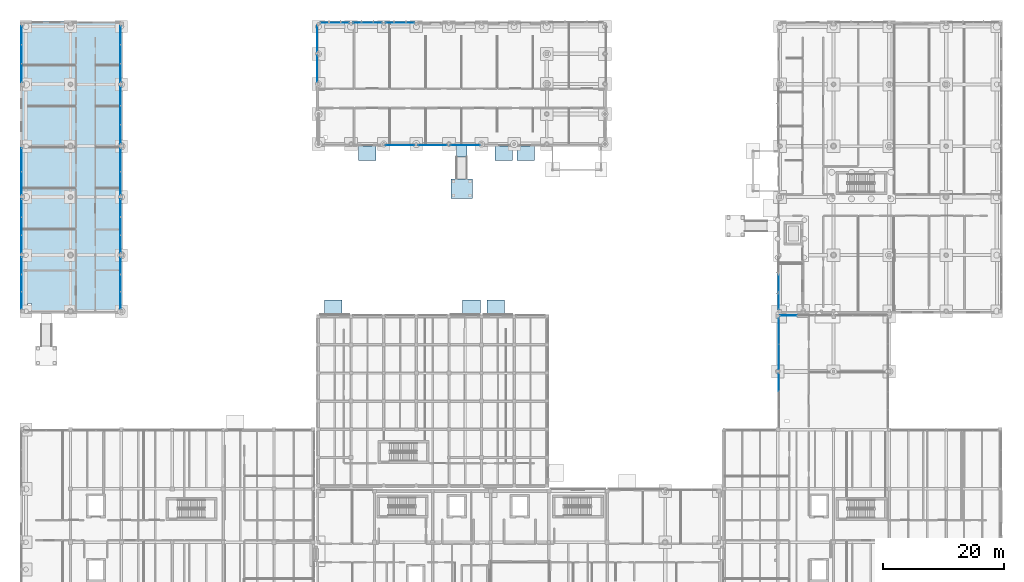
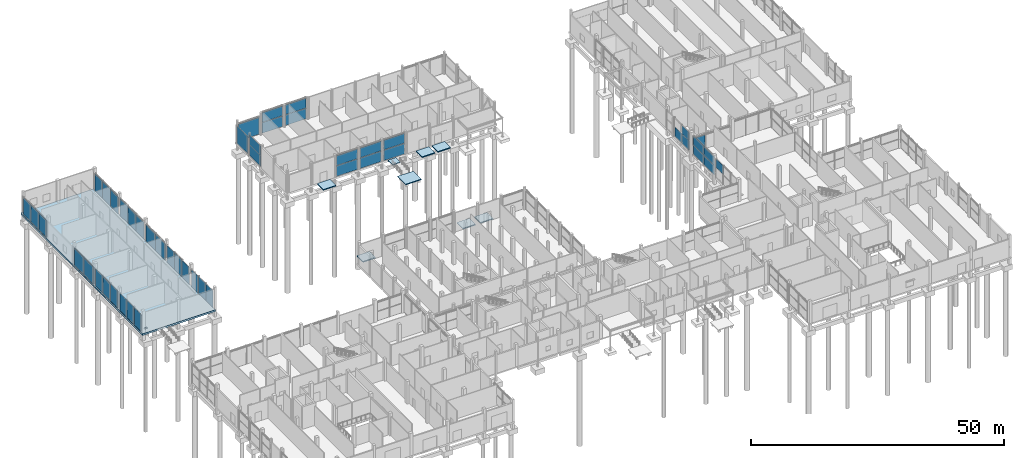
# One storey, part 50 of 88: 48 plates, 9 slabs, 22 elements without a shape of their own.
"""IFC4 building model written with IfcOpenShell, lengths in metres."""

from ifc_helpers import new_model, si_unit, direction, frame, origin, origin_2d, place, context, subcontext, project, spatial, polyline, rectangle, outline, extrude, material, layer, layer_set, type_object, element, aggregate, save


model = new_model("IFC4")

# Units and contexts
model_context = context("Model", 3, precision=1e-05, world=origin(), true_north=direction((0.0, 1.0)))
body_context = subcontext(model_context, "Body", "Model", "MODEL_VIEW")
ifc_project = project(units=[si_unit("LENGTHUNIT", "METRE"), si_unit("AREAUNIT", "SQUARE_METRE"), si_unit("VOLUMEUNIT", "CUBIC_METRE"), si_unit("PLANEANGLEUNIT", "RADIAN"), si_unit("MASSUNIT", "GRAM", prefix="KILO")], contexts=[model_context])

# Site, building, storey
site_placement = place(None, origin())
site = spatial("IfcSite", under=ifc_project, at=site_placement, CompositionType="ELEMENT")
building_placement = place(site_placement, origin())
building = spatial("IfcBuilding", under=site, at=building_placement, Name="Birchvale Park Specialist Clinic", CompositionType="ELEMENT")
storey_placement = place(building_placement, origin())
storey = spatial("IfcBuildingStorey", under=building, at=storey_placement, Name="L00", CompositionType="ELEMENT", Elevation=0.0)

# Curtain wall, plates
ifc_material_1 = material(Name="Thermally broken anodised aluminium", Category="aluminium")
ifc_layer_1 = layer(ifc_material_1, 0.195068359375)
ifc_layer_set_1 = layer_set([ifc_layer_1], Name="Thermally broken anodised aluminium")
curtain_wall_type_1 = type_object("IfcCurtainWallType", Name="CW-U2", PredefinedType="USERDEFINED", material=ifc_layer_set_1)
curtain_wall_1_placement = place(storey_placement, origin())
curtain_wall_1 = element("IfcCurtainWall", 1, at=curtain_wall_1_placement, inside=storey, type_object=curtain_wall_type_1, Name="V2 L00 glazed curtain wall 24", ObjectType="UNITISED", PredefinedType="USERDEFINED")
ifc_material_2 = material(Name="Solar-control low-E double glazing", Category="glass")
ifc_layer_2 = layer(ifc_material_2, 0.031982421875)
ifc_layer_set_2 = layer_set([ifc_layer_2], Name="Solar-control low-E double glazing")
plate_type_1 = type_object("IfcPlateType", Name="CWP2", PredefinedType="CURTAIN_PANEL", material=ifc_layer_set_2)
plate_1_placement = place(storey_placement, frame((19.445068359375, 65.71630859375, 0.06494140625), z_axis=(0.0, 0.0, 1.0), x_axis=(0.0, 1.0, 0.0)))
plate_1 = element("IfcPlate", 2, at=plate_1_placement, type_object=plate_type_1, Name="CW panel 1.1", PredefinedType="CURTAIN_PANEL", context=body_context, shape_type="SweptSolid", body=[
    extrude(rectangle(XDim=2.7724609375, YDim=0.031982421875, at=origin_2d()), origin(), (0.0, 0.0, 1.0), 4.10498046875),
])
plate_2_placement = place(storey_placement, frame((19.445068359375, 68.570068359375, 0.06494140625), z_axis=(0.0, 0.0, 1.0), x_axis=(0.0, 1.0, 0.0)))
plate_2 = element("IfcPlate", 3, at=plate_2_placement, type_object=plate_type_1, Name="CW panel 2.1", PredefinedType="CURTAIN_PANEL", context=body_context, shape_type="SweptSolid", body=[
    extrude(rectangle(XDim=2.804931640625, YDim=0.031982421875, at=origin_2d()), origin(), (0.0, 0.0, 1.0), 4.10498046875),
])
plate_3_placement = place(storey_placement, frame((19.445068359375, 71.423828125, 0.06494140625), z_axis=(0.0, 0.0, 1.0), x_axis=(0.0, 1.0, 0.0)))
plate_3 = element("IfcPlate", 4, at=plate_3_placement, type_object=plate_type_1, Name="CW panel 3.1", PredefinedType="CURTAIN_PANEL", context=body_context, shape_type="SweptSolid", body=[
    extrude(rectangle(XDim=2.7724609375, YDim=0.031982421875, at=origin_2d()), origin(), (0.0, 0.0, 1.0), 4.10498046875),
])
aggregate(curtain_wall_1, [plate_1, plate_2, plate_3])

curtain_wall_2_placement = place(storey_placement, origin())
curtain_wall_2 = element("IfcCurtainWall", 5, at=curtain_wall_2_placement, inside=storey, type_object=curtain_wall_type_1, Name="V2 L00 glazed curtain wall 25", ObjectType="UNITISED", PredefinedType="USERDEFINED")
plate_4_placement = place(storey_placement, frame((19.445068359375, 75.037109375, 0.06494140625), z_axis=(0.0, 0.0, 1.0), x_axis=(0.0, 1.0, 0.0)))
plate_4 = element("IfcPlate", 6, at=plate_4_placement, type_object=plate_type_1, Name="CW panel 1.1", PredefinedType="CURTAIN_PANEL", context=body_context, shape_type="SweptSolid", body=[
    extrude(rectangle(XDim=2.894287109375, YDim=0.031982421875, at=origin_2d()), origin(), (0.0, 0.0, 1.0), 4.10498046875),
])
plate_5_placement = place(storey_placement, frame((19.445068359375, 78.012451171875, 0.06494140625), z_axis=(0.0, 0.0, 1.0), x_axis=(0.0, 1.0, 0.0)))
plate_5 = element("IfcPlate", 7, at=plate_5_placement, type_object=plate_type_1, Name="CW panel 2.1", PredefinedType="CURTAIN_PANEL", context=body_context, shape_type="SweptSolid", body=[
    extrude(rectangle(XDim=2.9267578125, YDim=0.031982421875, at=origin_2d()), origin(), (0.0, 0.0, 1.0), 4.10498046875),
])
plate_6_placement = place(storey_placement, frame((19.445068359375, 80.988037109375, 0.06494140625), z_axis=(0.0, 0.0, 1.0), x_axis=(0.0, 1.0, 0.0)))
plate_6 = element("IfcPlate", 8, at=plate_6_placement, type_object=plate_type_1, Name="CW panel 3.1", PredefinedType="CURTAIN_PANEL", context=body_context, shape_type="SweptSolid", body=[
    extrude(rectangle(XDim=2.894287109375, YDim=0.031982421875, at=origin_2d()), origin(), (0.0, 0.0, 1.0), 4.10498046875),
])
aggregate(curtain_wall_2, [plate_4, plate_5, plate_6])

curtain_wall_3_placement = place(storey_placement, origin())
curtain_wall_3 = element("IfcCurtainWall", 9, at=curtain_wall_3_placement, inside=storey, type_object=curtain_wall_type_1, Name="V2 L00 glazed curtain wall 26", ObjectType="UNITISED", PredefinedType="USERDEFINED")
plate_7_placement = place(storey_placement, frame((19.445068359375, 85.06005859375, 0.06494140625), z_axis=(0.0, 0.0, 1.0), x_axis=(0.0, 1.0, 0.0)))
plate_7 = element("IfcPlate", 10, at=plate_7_placement, type_object=plate_type_1, Name="CW panel 1.1", PredefinedType="CURTAIN_PANEL", context=body_context, shape_type="SweptSolid", body=[
    extrude(rectangle(XDim=3.7900390625, YDim=0.031982421875, at=origin_2d()), origin(), (0.0, 0.0, 1.0), 4.10498046875),
])
plate_8_placement = place(storey_placement, frame((19.445068359375, 88.9150390625, 0.06494140625), z_axis=(0.0, 0.0, 1.0), x_axis=(0.0, 1.0, 0.0)))
plate_8 = element("IfcPlate", 11, at=plate_8_placement, type_object=plate_type_1, Name="CW panel 2.1", PredefinedType="CURTAIN_PANEL", context=body_context, shape_type="SweptSolid", body=[
    extrude(rectangle(XDim=3.7900390625, YDim=0.031982421875, at=origin_2d()), origin(), (0.0, 0.0, 1.0), 4.10498046875),
])
aggregate(curtain_wall_3, [plate_7, plate_8])

curtain_wall_4_placement = place(storey_placement, origin())
curtain_wall_4 = element("IfcCurtainWall", 12, at=curtain_wall_4_placement, inside=storey, type_object=curtain_wall_type_1, Name="V2 L00 glazed curtain wall 27", ObjectType="UNITISED", PredefinedType="USERDEFINED")
plate_9_placement = place(storey_placement, frame((19.445068359375, 93.136962890625, 0.06494140625), z_axis=(0.0, 0.0, 1.0), x_axis=(0.0, 1.0, 0.0)))
plate_9 = element("IfcPlate", 13, at=plate_9_placement, type_object=plate_type_1, Name="CW panel 1.1", PredefinedType="CURTAIN_PANEL", context=body_context, shape_type="SweptSolid", body=[
    extrude(rectangle(XDim=3.09423828125, YDim=0.031982421875, at=origin_2d()), origin(), (0.0, 0.0, 1.0), 4.10498046875),
])
plate_10_placement = place(storey_placement, frame((19.445068359375, 96.3125, 0.06494140625), z_axis=(0.0, 0.0, 1.0), x_axis=(0.0, 1.0, 0.0)))
plate_10 = element("IfcPlate", 14, at=plate_10_placement, type_object=plate_type_1, Name="CW panel 2.1", PredefinedType="CURTAIN_PANEL", context=body_context, shape_type="SweptSolid", body=[
    extrude(rectangle(XDim=3.126708984375, YDim=0.031982421875, at=origin_2d()), origin(), (0.0, 0.0, 1.0), 4.10498046875),
])
plate_11_placement = place(storey_placement, frame((19.445068359375, 99.488037109375, 0.06494140625), z_axis=(0.0, 0.0, 1.0), x_axis=(0.0, 1.0, 0.0)))
plate_11 = element("IfcPlate", 15, at=plate_11_placement, type_object=plate_type_1, Name="CW panel 3.1", PredefinedType="CURTAIN_PANEL", context=body_context, shape_type="SweptSolid", body=[
    extrude(rectangle(XDim=3.09423828125, YDim=0.031982421875, at=origin_2d()), origin(), (0.0, 0.0, 1.0), 4.10498046875),
])
aggregate(curtain_wall_4, [plate_9, plate_10, plate_11])

curtain_wall_5_placement = place(storey_placement, origin())
curtain_wall_5 = element("IfcCurtainWall", 16, at=curtain_wall_5_placement, inside=storey, type_object=curtain_wall_type_1, Name="V2 L00 glazed curtain wall 28", ObjectType="UNITISED", PredefinedType="USERDEFINED")
plate_12_placement = place(storey_placement, frame((19.445068359375, 103.280517578125, 0.06494140625), z_axis=(0.0, 0.0, 1.0), x_axis=(0.0, 1.0, 0.0)))
plate_12 = element("IfcPlate", 17, at=plate_12_placement, type_object=plate_type_1, Name="CW panel 1.1", PredefinedType="CURTAIN_PANEL", context=body_context, shape_type="SweptSolid", body=[
    extrude(rectangle(XDim=3.03076171875, YDim=0.031982421875, at=origin_2d()), origin(), (0.0, 0.0, 1.0), 4.10498046875),
])
plate_13_placement = place(storey_placement, frame((19.445068359375, 106.392578125, 0.06494140625), z_axis=(0.0, 0.0, 1.0), x_axis=(0.0, 1.0, 0.0)))
plate_13 = element("IfcPlate", 18, at=plate_13_placement, type_object=plate_type_1, Name="CW panel 2.1", PredefinedType="CURTAIN_PANEL", context=body_context, shape_type="SweptSolid", body=[
    extrude(rectangle(XDim=3.063232421875, YDim=0.031982421875, at=origin_2d()), origin(), (0.0, 0.0, 1.0), 4.10498046875),
])
plate_14_placement = place(storey_placement, frame((19.445068359375, 109.504638671875, 0.06494140625), z_axis=(0.0, 0.0, 1.0), x_axis=(0.0, 1.0, 0.0)))
plate_14 = element("IfcPlate", 19, at=plate_14_placement, type_object=plate_type_1, Name="CW panel 3.1", PredefinedType="CURTAIN_PANEL", context=body_context, shape_type="SweptSolid", body=[
    extrude(rectangle(XDim=3.03076171875, YDim=0.031982421875, at=origin_2d()), origin(), (0.0, 0.0, 1.0), 4.10498046875),
])
aggregate(curtain_wall_5, [plate_12, plate_13, plate_14])

curtain_wall_6_placement = place(storey_placement, origin())
curtain_wall_6 = element("IfcCurtainWall", 20, at=curtain_wall_6_placement, inside=storey, type_object=curtain_wall_type_1, Name="V2 L00 glazed curtain wall 29", ObjectType="UNITISED", PredefinedType="USERDEFINED")
plate_15_placement = place(storey_placement, frame((3.10498046875, 109.507080078125, 0.06494140625), z_axis=(0.0, 0.0, 1.0), x_axis=(0.0, -1.0, 0.0)))
plate_15 = element("IfcPlate", 21, at=plate_15_placement, type_object=plate_type_1, Name="CW panel 1.1", PredefinedType="CURTAIN_PANEL", context=body_context, shape_type="SweptSolid", body=[
    extrude(rectangle(XDim=3.02587890625, YDim=0.031982421875, at=origin_2d()), origin(), (0.0, 0.0, 1.0), 4.10498046875),
])
plate_16_placement = place(storey_placement, frame((3.10498046875, 106.39990234375, 0.06494140625), z_axis=(0.0, 0.0, 1.0), x_axis=(0.0, -1.0, 0.0)))
plate_16 = element("IfcPlate", 22, at=plate_16_placement, type_object=plate_type_1, Name="CW panel 2.1", PredefinedType="CURTAIN_PANEL", context=body_context, shape_type="SweptSolid", body=[
    extrude(rectangle(XDim=3.058349609375, YDim=0.031982421875, at=origin_2d()), origin(), (0.0, 0.0, 1.0), 4.10498046875),
])
plate_17_placement = place(storey_placement, frame((3.10498046875, 103.29296875, 0.06494140625), z_axis=(0.0, 0.0, 1.0), x_axis=(0.0, -1.0, 0.0)))
plate_17 = element("IfcPlate", 23, at=plate_17_placement, type_object=plate_type_1, Name="CW panel 3.1", PredefinedType="CURTAIN_PANEL", context=body_context, shape_type="SweptSolid", body=[
    extrude(rectangle(XDim=3.02587890625, YDim=0.031982421875, at=origin_2d()), origin(), (0.0, 0.0, 1.0), 4.10498046875),
])
aggregate(curtain_wall_6, [plate_15, plate_16, plate_17])

curtain_wall_7_placement = place(storey_placement, origin())
curtain_wall_7 = element("IfcCurtainWall", 24, at=curtain_wall_7_placement, inside=storey, type_object=curtain_wall_type_1, Name="V2 L00 glazed curtain wall 30", ObjectType="UNITISED", PredefinedType="USERDEFINED")
plate_18_placement = place(storey_placement, frame((3.10498046875, 88.92626953125, 0.06494140625), z_axis=(0.0, 0.0, 1.0), x_axis=(0.0, -1.0, 0.0)))
plate_18 = element("IfcPlate", 25, at=plate_18_placement, type_object=plate_type_1, Name="CW panel 1.1", PredefinedType="CURTAIN_PANEL", context=body_context, shape_type="SweptSolid", body=[
    extrude(rectangle(XDim=3.78759765625, YDim=0.031982421875, at=origin_2d()), origin(), (0.0, 0.0, 1.0), 4.10498046875),
])
plate_19_placement = place(storey_placement, frame((3.10498046875, 85.07373046875, 0.06494140625), z_axis=(0.0, 0.0, 1.0), x_axis=(0.0, -1.0, 0.0)))
plate_19 = element("IfcPlate", 26, at=plate_19_placement, type_object=plate_type_1, Name="CW panel 2.1", PredefinedType="CURTAIN_PANEL", context=body_context, shape_type="SweptSolid", body=[
    extrude(rectangle(XDim=3.78759765625, YDim=0.031982421875, at=origin_2d()), origin(), (0.0, 0.0, 1.0), 4.10498046875),
])
aggregate(curtain_wall_7, [plate_18, plate_19])

curtain_wall_8_placement = place(storey_placement, origin())
curtain_wall_8 = element("IfcCurtainWall", 27, at=curtain_wall_8_placement, inside=storey, type_object=curtain_wall_type_1, Name="V2 L00 glazed curtain wall 31", ObjectType="UNITISED", PredefinedType="USERDEFINED")
plate_20_placement = place(storey_placement, frame((3.10498046875, 80.9736328125, 0.06494140625), z_axis=(0.0, 0.0, 1.0), x_axis=(0.0, -1.0, 0.0)))
plate_20 = element("IfcPlate", 28, at=plate_20_placement, type_object=plate_type_1, Name="CW panel 1.1", PredefinedType="CURTAIN_PANEL", context=body_context, shape_type="SweptSolid", body=[
    extrude(rectangle(XDim=2.892578125, YDim=0.031982421875, at=origin_2d()), origin(), (0.0, 0.0, 1.0), 4.10498046875),
])
plate_21_placement = place(storey_placement, frame((3.10498046875, 78.0, 0.06494140625), z_axis=(0.0, 0.0, 1.0), x_axis=(0.0, -1.0, 0.0)))
plate_21 = element("IfcPlate", 29, at=plate_21_placement, type_object=plate_type_1, Name="CW panel 2.1", PredefinedType="CURTAIN_PANEL", context=body_context, shape_type="SweptSolid", body=[
    extrude(rectangle(XDim=2.925048828125, YDim=0.031982421875, at=origin_2d()), origin(), (0.0, 0.0, 1.0), 4.10498046875),
])
plate_22_placement = place(storey_placement, frame((3.10498046875, 75.0263671875, 0.06494140625), z_axis=(0.0, 0.0, 1.0), x_axis=(0.0, -1.0, 0.0)))
plate_22 = element("IfcPlate", 30, at=plate_22_placement, type_object=plate_type_1, Name="CW panel 3.1", PredefinedType="CURTAIN_PANEL", context=body_context, shape_type="SweptSolid", body=[
    extrude(rectangle(XDim=2.892578125, YDim=0.031982421875, at=origin_2d()), origin(), (0.0, 0.0, 1.0), 4.10498046875),
])
aggregate(curtain_wall_8, [plate_20, plate_21, plate_22])

curtain_wall_9_placement = place(storey_placement, origin())
curtain_wall_9 = element("IfcCurtainWall", 31, at=curtain_wall_9_placement, inside=storey, type_object=curtain_wall_type_1, Name="V2 L00 glazed curtain wall 32", ObjectType="UNITISED", PredefinedType="USERDEFINED")
plate_23_placement = place(storey_placement, frame((3.10498046875, 71.43212890625, 0.06494140625), z_axis=(0.0, 0.0, 1.0), x_axis=(0.0, -1.0, 0.0)))
plate_23 = element("IfcPlate", 32, at=plate_23_placement, type_object=plate_type_1, Name="CW panel 1.1", PredefinedType="CURTAIN_PANEL", context=body_context, shape_type="SweptSolid", body=[
    extrude(rectangle(XDim=2.77587890625, YDim=0.031982421875, at=origin_2d()), origin(), (0.0, 0.0, 1.0), 4.10498046875),
])
plate_24_placement = place(storey_placement, frame((3.10498046875, 68.574951171875, 0.06494140625), z_axis=(0.0, 0.0, 1.0), x_axis=(0.0, -1.0, 0.0)))
plate_24 = element("IfcPlate", 33, at=plate_24_placement, type_object=plate_type_1, Name="CW panel 2.1", PredefinedType="CURTAIN_PANEL", context=body_context, shape_type="SweptSolid", body=[
    extrude(rectangle(XDim=2.808349609375, YDim=0.031982421875, at=origin_2d()), origin(), (0.0, 0.0, 1.0), 4.10498046875),
])
plate_25_placement = place(storey_placement, frame((3.10498046875, 65.718017578125, 0.06494140625), z_axis=(0.0, 0.0, 1.0), x_axis=(0.0, -1.0, 0.0)))
plate_25 = element("IfcPlate", 34, at=plate_25_placement, type_object=plate_type_1, Name="CW panel 3.1", PredefinedType="CURTAIN_PANEL", context=body_context, shape_type="SweptSolid", body=[
    extrude(rectangle(XDim=2.77587890625, YDim=0.031982421875, at=origin_2d()), origin(), (0.0, 0.0, 1.0), 4.10498046875),
])
aggregate(curtain_wall_9, [plate_23, plate_24, plate_25])

# Curtain wall, plate
curtain_wall_10_placement = place(storey_placement, origin())
curtain_wall_10 = element("IfcCurtainWall", 35, at=curtain_wall_10_placement, inside=storey, type_object=curtain_wall_type_1, Name="V5 L00 glazed curtain wall 58", ObjectType="UNITISED", PredefinedType="USERDEFINED")
plate_26_placement = place(storey_placement, frame((129.763671875, 63.22509765625, 0.06494140625), z_axis=(0.0, 0.0, 1.0), x_axis=(-1.0, 0.0, 0.0)))
plate_26 = element("IfcPlate", 36, at=plate_26_placement, type_object=plate_type_1, Name="CW panel 3.1", PredefinedType="CURTAIN_PANEL", context=body_context, shape_type="SweptSolid", body=[
    extrude(rectangle(XDim=2.767578125, YDim=0.031982421875, at=origin_2d()), origin(), (0.0, 0.0, 1.0), 3.3779296875),
])
aggregate(curtain_wall_10, [plate_26])

# Curtain wall, plates
curtain_wall_11_placement = place(storey_placement, origin())
curtain_wall_11 = element("IfcCurtainWall", 37, at=curtain_wall_11_placement, inside=storey, type_object=curtain_wall_type_1, Name="V5 L00 glazed curtain wall 59", ObjectType="UNITISED", PredefinedType="USERDEFINED")
plate_27_placement = place(storey_placement, frame((128.175048828125, 60.603759765625, 0.06494140625), z_axis=(0.0, 0.0, 1.0), x_axis=(0.0, -1.0, 0.0)))
plate_27 = element("IfcPlate", 38, at=plate_27_placement, type_object=plate_type_1, Name="CW panel 1.1", PredefinedType="CURTAIN_PANEL", context=body_context, shape_type="SweptSolid", body=[
    extrude(rectangle(XDim=4.132568359375, YDim=0.031982421875, at=origin_2d()), origin(), (0.0, 0.0, 1.0), 2.28662109375),
])
plate_28_placement = place(storey_placement, frame((128.175048828125, 60.603759765625, 2.41650390625), z_axis=(0.0, 0.0, 1.0), x_axis=(0.0, -1.0, 0.0)))
plate_28 = element("IfcPlate", 39, at=plate_28_placement, type_object=plate_type_1, Name="CW panel 1.2", PredefinedType="CURTAIN_PANEL", context=body_context, shape_type="SweptSolid", body=[
    extrude(rectangle(XDim=4.132568359375, YDim=0.031982421875, at=origin_2d()), origin(), (0.0, 0.0, 1.0), 2.103271484375),
])
plate_29_placement = place(storey_placement, frame((128.175048828125, 56.40625, 0.06494140625), z_axis=(0.0, 0.0, 1.0), x_axis=(0.0, -1.0, 0.0)))
plate_29 = element("IfcPlate", 40, at=plate_29_placement, type_object=plate_type_1, Name="CW panel 2.1", PredefinedType="CURTAIN_PANEL", context=body_context, shape_type="SweptSolid", body=[
    extrude(rectangle(XDim=4.132568359375, YDim=0.031982421875, at=origin_2d()), origin(), (0.0, 0.0, 1.0), 2.28662109375),
])
plate_30_placement = place(storey_placement, frame((128.175048828125, 56.40625, 2.41650390625), z_axis=(0.0, 0.0, 1.0), x_axis=(0.0, -1.0, 0.0)))
plate_30 = element("IfcPlate", 41, at=plate_30_placement, type_object=plate_type_1, Name="CW panel 2.2", PredefinedType="CURTAIN_PANEL", context=body_context, shape_type="SweptSolid", body=[
    extrude(rectangle(XDim=4.132568359375, YDim=0.031982421875, at=origin_2d()), origin(), (0.0, 0.0, 1.0), 2.103271484375),
])
aggregate(curtain_wall_11, [plate_27, plate_28, plate_29, plate_30])

# Curtain wall, plate
curtain_wall_12_placement = place(storey_placement, origin())
curtain_wall_12 = element("IfcCurtainWall", 42, at=curtain_wall_12_placement, inside=storey, type_object=curtain_wall_type_1, Name="V5 L00 glazed curtain wall 60", ObjectType="UNITISED", PredefinedType="USERDEFINED")
plate_31_placement = place(storey_placement, frame((128.175048828125, 52.208740234375, 2.36474609375), z_axis=(0.0, 0.0, 1.0), x_axis=(0.0, -1.0, 0.0)))
plate_31 = element("IfcPlate", 43, at=plate_31_placement, type_object=plate_type_1, Name="CW panel 1.2", PredefinedType="CURTAIN_PANEL", context=body_context, shape_type="SweptSolid", body=[
    extrude(rectangle(XDim=2.902587890625, YDim=0.031982421875, at=origin_2d()), origin(), (0.0, 0.0, 1.0), 2.055419921875),
])
aggregate(curtain_wall_12, [plate_31])

# Curtain wall, plates
ifc_layer_3 = layer(ifc_material_1, 0.2099609375)
ifc_layer_set_3 = layer_set([ifc_layer_3], Name="Thermally broken anodised aluminium")
curtain_wall_type_2 = type_object("IfcCurtainWallType", Name="CW-U3", PredefinedType="USERDEFINED", material=ifc_layer_set_3)
curtain_wall_13_placement = place(storey_placement, origin())
curtain_wall_13 = element("IfcCurtainWall", 44, at=curtain_wall_13_placement, inside=storey, type_object=curtain_wall_type_2, Name="V6 L00 glazed curtain wall 67", ObjectType="UNITISED", PredefinedType="USERDEFINED")
ifc_layer_4 = layer(ifc_material_2, 0.035888671875)
ifc_layer_set_4 = layer_set([ifc_layer_4], Name="Solar-control low-E double glazing")
plate_type_2 = type_object("IfcPlateType", Name="CWP3", PredefinedType="CURTAIN_PANEL", material=ifc_layer_set_4)
plate_32_placement = place(storey_placement, frame((128.14501953125, 68.574951171875, 0.06982421875), z_axis=(0.0, 0.0, 1.0), x_axis=(0.0, -1.0, 0.0)))
plate_32 = element("IfcPlate", 45, at=plate_32_placement, type_object=plate_type_2, Name="CW panel 2.1", PredefinedType="CURTAIN_PANEL", context=body_context, shape_type="SweptSolid", body=[
    extrude(rectangle(XDim=2.820068359375, YDim=0.035888671875, at=origin_2d()), origin(), (0.0, 0.0, 1.0), 2.206298828125),
])
plate_33_placement = place(storey_placement, frame((128.14501953125, 65.702392578125, 0.06982421875), z_axis=(0.0, 0.0, 1.0), x_axis=(0.0, -1.0, 0.0)))
plate_33 = element("IfcPlate", 46, at=plate_33_placement, type_object=plate_type_2, Name="CW panel 3.1", PredefinedType="CURTAIN_PANEL", context=body_context, shape_type="SweptSolid", body=[
    extrude(rectangle(XDim=2.784912109375, YDim=0.035888671875, at=origin_2d()), origin(), (0.0, 0.0, 1.0), 2.206298828125),
])
plate_34_placement = place(storey_placement, frame((128.14501953125, 65.702392578125, 2.34619140625), z_axis=(0.0, 0.0, 1.0), x_axis=(0.0, -1.0, 0.0)))
plate_34 = element("IfcPlate", 47, at=plate_34_placement, type_object=plate_type_2, Name="CW panel 3.2", PredefinedType="CURTAIN_PANEL", context=body_context, shape_type="SweptSolid", body=[
    extrude(rectangle(XDim=2.784912109375, YDim=0.035888671875, at=origin_2d()), origin(), (0.0, 0.0, 1.0), 2.028564453125),
])
aggregate(curtain_wall_13, [plate_32, plate_33, plate_34])

ifc_layer_5 = layer(ifc_material_1, 0.1650390625)
ifc_layer_set_5 = layer_set([ifc_layer_5], Name="Thermally broken anodised aluminium")
curtain_wall_type_3 = type_object("IfcCurtainWallType", Name="CW-S1", PredefinedType="USERDEFINED", material=ifc_layer_set_5)
curtain_wall_14_placement = place(storey_placement, origin())
curtain_wall_14 = element("IfcCurtainWall", 48, at=curtain_wall_14_placement, inside=storey, type_object=curtain_wall_type_3, Name="V3 L00 glazed curtain wall 33", ObjectType="STICK", PredefinedType="USERDEFINED")
ifc_layer_6 = layer(ifc_material_2, 0.0400390625)
ifc_layer_set_6 = layer_set([ifc_layer_6], Name="Solar-control low-E double glazing")
plate_type_3 = type_object("IfcPlateType", Name="CWP4", PredefinedType="CURTAIN_PANEL", material=ifc_layer_set_6)
plate_35_placement = place(storey_placement, frame((65.6142578125, 91.364990234375, 0.0751953125), z_axis=(0.0, 0.0, 1.0), x_axis=(1.0, 0.0, 0.0)))
plate_35 = element("IfcPlate", 49, at=plate_35_placement, type_object=plate_type_3, Name="CW panel 1.1", PredefinedType="CURTAIN_PANEL", context=body_context, shape_type="SweptSolid", body=[
    extrude(rectangle(XDim=4.7158203125, YDim=0.0400390625, at=origin_2d()), origin(), (0.0, 0.0, 1.0), 2.552490234375),
])
plate_36_placement = place(storey_placement, frame((65.6142578125, 91.364990234375, 2.70263671875), z_axis=(0.0, 0.0, 1.0), x_axis=(1.0, 0.0, 0.0)))
plate_36 = element("IfcPlate", 50, at=plate_36_placement, type_object=plate_type_3, Name="CW panel 1.2", PredefinedType="CURTAIN_PANEL", context=body_context, shape_type="SweptSolid", body=[
    extrude(rectangle(XDim=4.7158203125, YDim=0.0400390625, at=origin_2d()), origin(), (0.0, 0.0, 1.0), 2.347412109375),
])
aggregate(curtain_wall_14, [plate_35, plate_36])

curtain_wall_15_placement = place(storey_placement, origin())
curtain_wall_15 = element("IfcCurtainWall", 51, at=curtain_wall_15_placement, inside=storey, type_object=curtain_wall_type_3, Name="V3 L00 glazed curtain wall 34", ObjectType="STICK", PredefinedType="USERDEFINED")
plate_37_placement = place(storey_placement, frame((71.0, 91.364990234375, 0.0751953125), z_axis=(0.0, 0.0, 1.0), x_axis=(1.0, 0.0, 0.0)))
plate_37 = element("IfcPlate", 52, at=plate_37_placement, type_object=plate_type_3, Name="CW panel 1.1", PredefinedType="CURTAIN_PANEL", context=body_context, shape_type="SweptSolid", body=[
    extrude(rectangle(XDim=4.7158203125, YDim=0.0400390625, at=origin_2d()), origin(), (0.0, 0.0, 1.0), 2.552490234375),
])
plate_38_placement = place(storey_placement, frame((71.0, 91.364990234375, 2.70263671875), z_axis=(0.0, 0.0, 1.0), x_axis=(1.0, 0.0, 0.0)))
plate_38 = element("IfcPlate", 53, at=plate_38_placement, type_object=plate_type_3, Name="CW panel 1.2", PredefinedType="CURTAIN_PANEL", context=body_context, shape_type="SweptSolid", body=[
    extrude(rectangle(XDim=4.7158203125, YDim=0.0400390625, at=origin_2d()), origin(), (0.0, 0.0, 1.0), 2.347412109375),
])
aggregate(curtain_wall_15, [plate_37, plate_38])

curtain_wall_16_placement = place(storey_placement, origin())
curtain_wall_16 = element("IfcCurtainWall", 54, at=curtain_wall_16_placement, inside=storey, type_object=curtain_wall_type_3, Name="V3 L00 glazed curtain wall 35", ObjectType="STICK", PredefinedType="USERDEFINED")
plate_39_placement = place(storey_placement, frame((76.3857421875, 91.364990234375, 0.0751953125), z_axis=(0.0, 0.0, 1.0), x_axis=(1.0, 0.0, 0.0)))
plate_39 = element("IfcPlate", 55, at=plate_39_placement, type_object=plate_type_3, Name="CW panel 1.1", PredefinedType="CURTAIN_PANEL", context=body_context, shape_type="SweptSolid", body=[
    extrude(rectangle(XDim=4.7158203125, YDim=0.0400390625, at=origin_2d()), origin(), (0.0, 0.0, 1.0), 2.552490234375),
])
plate_40_placement = place(storey_placement, frame((76.3857421875, 91.364990234375, 2.70263671875), z_axis=(0.0, 0.0, 1.0), x_axis=(1.0, 0.0, 0.0)))
plate_40 = element("IfcPlate", 56, at=plate_40_placement, type_object=plate_type_3, Name="CW panel 1.2", PredefinedType="CURTAIN_PANEL", context=body_context, shape_type="SweptSolid", body=[
    extrude(rectangle(XDim=4.7158203125, YDim=0.0400390625, at=origin_2d()), origin(), (0.0, 0.0, 1.0), 2.347412109375),
])
aggregate(curtain_wall_16, [plate_39, plate_40])

curtain_wall_17_placement = place(storey_placement, origin())
curtain_wall_17 = element("IfcCurtainWall", 57, at=curtain_wall_17_placement, inside=storey, type_object=curtain_wall_type_3, Name="V3 L00 glazed curtain wall 39", ObjectType="STICK", PredefinedType="USERDEFINED")
plate_41_placement = place(storey_placement, frame((65.6142578125, 111.5849609375, 0.0751953125), z_axis=(0.0, 0.0, 1.0), x_axis=(-1.0, 0.0, 0.0)))
plate_41 = element("IfcPlate", 58, at=plate_41_placement, type_object=plate_type_3, Name="CW panel 1.1", PredefinedType="CURTAIN_PANEL", context=body_context, shape_type="SweptSolid", body=[
    extrude(rectangle(XDim=4.7158203125, YDim=0.0400390625, at=origin_2d()), origin(), (0.0, 0.0, 1.0), 2.552490234375),
])
plate_42_placement = place(storey_placement, frame((65.6142578125, 111.5849609375, 2.70263671875), z_axis=(0.0, 0.0, 1.0), x_axis=(-1.0, 0.0, 0.0)))
plate_42 = element("IfcPlate", 59, at=plate_42_placement, type_object=plate_type_3, Name="CW panel 1.2", PredefinedType="CURTAIN_PANEL", context=body_context, shape_type="SweptSolid", body=[
    extrude(rectangle(XDim=4.7158203125, YDim=0.0400390625, at=origin_2d()), origin(), (0.0, 0.0, 1.0), 2.347412109375),
])
aggregate(curtain_wall_17, [plate_41, plate_42])

curtain_wall_18_placement = place(storey_placement, origin())
curtain_wall_18 = element("IfcCurtainWall", 60, at=curtain_wall_18_placement, inside=storey, type_object=curtain_wall_type_3, Name="V3 L00 glazed curtain wall 40", ObjectType="STICK", PredefinedType="USERDEFINED")
plate_43_placement = place(storey_placement, frame((60.228515625, 111.5849609375, 0.0751953125), z_axis=(0.0, 0.0, 1.0), x_axis=(-1.0, 0.0, 0.0)))
plate_43 = element("IfcPlate", 61, at=plate_43_placement, type_object=plate_type_3, Name="CW panel 1.1", PredefinedType="CURTAIN_PANEL", context=body_context, shape_type="SweptSolid", body=[
    extrude(rectangle(XDim=4.7158203125, YDim=0.0400390625, at=origin_2d()), origin(), (0.0, 0.0, 1.0), 2.552490234375),
])
plate_44_placement = place(storey_placement, frame((60.228515625, 111.5849609375, 2.70263671875), z_axis=(0.0, 0.0, 1.0), x_axis=(-1.0, 0.0, 0.0)))
plate_44 = element("IfcPlate", 62, at=plate_44_placement, type_object=plate_type_3, Name="CW panel 1.2", PredefinedType="CURTAIN_PANEL", context=body_context, shape_type="SweptSolid", body=[
    extrude(rectangle(XDim=4.7158203125, YDim=0.0400390625, at=origin_2d()), origin(), (0.0, 0.0, 1.0), 2.347412109375),
])
aggregate(curtain_wall_18, [plate_43, plate_44])

# Curtain wall, plate
curtain_wall_19_placement = place(storey_placement, origin())
curtain_wall_19 = element("IfcCurtainWall", 63, at=curtain_wall_19_placement, inside=storey, type_object=curtain_wall_type_3, Name="V3 L00 glazed curtain wall 41", ObjectType="STICK", PredefinedType="USERDEFINED")
plate_45_placement = place(storey_placement, frame((54.8427734375, 111.5849609375, 0.0751953125), z_axis=(0.0, 0.0, 1.0), x_axis=(-1.0, 0.0, 0.0)))
plate_45 = element("IfcPlate", 64, at=plate_45_placement, type_object=plate_type_3, Name="CW panel 1.1", PredefinedType="CURTAIN_PANEL", context=body_context, shape_type="SweptSolid", body=[
    extrude(rectangle(XDim=4.7158203125, YDim=0.0400390625, at=origin_2d()), origin(), (0.0, 0.0, 1.0), 4.114990234375),
])
aggregate(curtain_wall_19, [plate_45])

curtain_wall_20_placement = place(storey_placement, origin())
curtain_wall_20 = element("IfcCurtainWall", 65, at=curtain_wall_20_placement, inside=storey, type_object=curtain_wall_type_3, Name="V3 L00 glazed curtain wall 42", ObjectType="STICK", PredefinedType="USERDEFINED")
plate_46_placement = place(storey_placement, frame((51.965087890625, 108.918701171875, 0.0751953125), z_axis=(0.0, 0.0, 1.0), x_axis=(0.0, -1.0, 0.0)))
plate_46 = element("IfcPlate", 66, at=plate_46_placement, type_object=plate_type_3, Name="CW panel 1.1", PredefinedType="CURTAIN_PANEL", context=body_context, shape_type="SweptSolid", body=[
    extrude(rectangle(XDim=4.29248046875, YDim=0.0400390625, at=origin_2d()), origin(), (0.0, 0.0, 1.0), 4.114990234375),
])
aggregate(curtain_wall_20, [plate_46])

# Curtain wall, plates
curtain_wall_21_placement = place(storey_placement, origin())
curtain_wall_21 = element("IfcCurtainWall", 67, at=curtain_wall_21_placement, inside=storey, type_object=curtain_wall_type_3, Name="V3 L00 glazed curtain wall 43", ObjectType="STICK", PredefinedType="USERDEFINED")
plate_47_placement = place(storey_placement, frame((51.965087890625, 103.956298828125, 0.0751953125), z_axis=(0.0, 0.0, 1.0), x_axis=(0.0, -1.0, 0.0)))
plate_47 = element("IfcPlate", 68, at=plate_47_placement, type_object=plate_type_3, Name="CW panel 1.1", PredefinedType="CURTAIN_PANEL", context=body_context, shape_type="SweptSolid", body=[
    extrude(rectangle(XDim=4.29248046875, YDim=0.0400390625, at=origin_2d()), origin(), (0.0, 0.0, 1.0), 2.552490234375),
])
plate_48_placement = place(storey_placement, frame((51.965087890625, 103.956298828125, 2.70263671875), z_axis=(0.0, 0.0, 1.0), x_axis=(0.0, -1.0, 0.0)))
plate_48 = element("IfcPlate", 69, at=plate_48_placement, type_object=plate_type_3, Name="CW panel 1.2", PredefinedType="CURTAIN_PANEL", context=body_context, shape_type="SweptSolid", body=[
    extrude(rectangle(XDim=4.29248046875, YDim=0.0400390625, at=origin_2d()), origin(), (0.0, 0.0, 1.0), 2.347412109375),
])
aggregate(curtain_wall_21, [plate_47, plate_48])

# Slabs
ifc_material_3 = material(Name="Concrete C35/45", Category="concrete")
ifc_layer_7 = layer(ifc_material_3, 0.419921875)
ifc_layer_set_7 = layer_set([ifc_layer_7], Name="Concrete C35/45")
slab_type_1 = type_object("IfcSlabType", Name="SLB-BS3", PredefinedType="BASESLAB", material=ifc_layer_set_7)
slab_1_placement = place(storey_placement, frame((0.0, 0.0, -0.419921875)))
element("IfcSlab", 70, at=slab_1_placement, inside=storey, type_object=slab_type_1, Name="V2 L00 structural slab 2", PredefinedType="BASESLAB", context=body_context, shape_type="SweptSolid", body=[
    extrude(outline(polyline([(2.949951171875, 63.60009765625), (19.60009765625, 63.60009765625), (19.60009765625, 111.75), (2.949951171875, 111.75), (2.949951171875, 63.60009765625)]), holes=[polyline([(4.14990234375, 64.800048828125), (4.800048828125, 64.800048828125), (4.800048828125, 65.25), (4.14990234375, 65.25), (4.14990234375, 64.800048828125)])]), origin(), (0.0, 0.0, 1.0), 0.419921875),
])
ifc_layer_8 = layer(ifc_material_3, 0.22998046875)
ifc_layer_set_8 = layer_set([ifc_layer_8], Name="Concrete C35/45")
slab_type_2 = type_object("IfcSlabType", Name="SLB-ES3", PredefinedType="FLOOR", material=ifc_layer_set_8)
slab_2_placement = place(storey_placement, frame((0.0, 0.0, -0.22998046875)))
element("IfcSlab", 71, at=slab_2_placement, inside=storey, type_object=slab_type_2, Name="V1 L00 exterior exit apron 2", PredefinedType="FLOOR", context=body_context, shape_type="SweptSolid", body=[
    extrude(outline(polyline([(79.989990234375, 63.39501953125), (82.889892578125, 63.39501953125), (82.889892578125, 65.794921875), (79.989990234375, 65.794921875), (79.989990234375, 63.39501953125)])), origin(), (0.0, 0.0, 1.0), 0.22998046875),
])
slab_3_placement = place(storey_placement, frame((0.0, 0.0, -0.22998046875)))
element("IfcSlab", 72, at=slab_3_placement, inside=storey, type_object=slab_type_2, Name="V1 L00 exterior exit apron 3", PredefinedType="FLOOR", context=body_context, shape_type="SweptSolid", body=[
    extrude(outline(polyline([(75.966064453125, 63.39501953125), (78.865966796875, 63.39501953125), (78.865966796875, 65.794921875), (75.966064453125, 65.794921875), (75.966064453125, 63.39501953125)])), origin(), (0.0, 0.0, 1.0), 0.22998046875),
])
slab_4_placement = place(storey_placement, frame((0.0, 0.0, -0.22998046875)))
element("IfcSlab", 73, at=slab_4_placement, inside=storey, type_object=slab_type_2, Name="V1 L00 exterior exit apron 4", PredefinedType="FLOOR", context=body_context, shape_type="SweptSolid", body=[
    extrude(outline(polyline([(53.14990234375, 63.39501953125), (56.050048828125, 63.39501953125), (56.050048828125, 65.794921875), (53.14990234375, 65.794921875), (53.14990234375, 63.39501953125)])), origin(), (0.0, 0.0, 1.0), 0.22998046875),
])
slab_5_placement = place(storey_placement, frame((0.0, 0.0, -0.22998046875)))
element("IfcSlab", 74, at=slab_5_placement, inside=storey, type_object=slab_type_2, Name="V3 L00 exterior exit apron 14", PredefinedType="FLOOR", context=body_context, shape_type="SweptSolid", body=[
    extrude(outline(polyline([(58.779052734375, 88.804931640625), (61.678955078125, 88.804931640625), (61.678955078125, 91.205078125), (58.779052734375, 91.205078125), (58.779052734375, 88.804931640625)])), origin(), (0.0, 0.0, 1.0), 0.22998046875),
])
slab_6_placement = place(storey_placement, frame((0.0, 0.0, -0.22998046875)))
element("IfcSlab", 75, at=slab_6_placement, inside=storey, type_object=slab_type_2, Name="V3 L00 exterior exit apron 15", PredefinedType="FLOOR", context=body_context, shape_type="SweptSolid", body=[
    extrude(outline(polyline([(81.326904296875, 88.804931640625), (84.22705078125, 88.804931640625), (84.22705078125, 91.205078125), (81.326904296875, 91.205078125), (81.326904296875, 88.804931640625)])), origin(), (0.0, 0.0, 1.0), 0.22998046875),
])
slab_7_placement = place(storey_placement, frame((0.0, 0.0, -0.22998046875)))
element("IfcSlab", 76, at=slab_7_placement, inside=storey, type_object=slab_type_2, Name="V3 L00 exterior exit apron 16", PredefinedType="FLOOR", context=body_context, shape_type="SweptSolid", body=[
    extrude(outline(polyline([(84.902099609375, 88.804931640625), (87.802001953125, 88.804931640625), (87.802001953125, 91.205078125), (84.902099609375, 91.205078125), (84.902099609375, 88.804931640625)])), origin(), (0.0, 0.0, 1.0), 0.22998046875),
])

# Ramp, slabs
ramp_type = type_object("IfcRampType", Name="RMP-AR1", PredefinedType="STRAIGHT_RUN_RAMP", material=ifc_material_3)
ramp_placement = place(storey_placement, origin())
ramp = element("IfcRamp", 77, at=ramp_placement, inside=storey, type_object=ramp_type, Name="Accessible 1:12 entrance ramp AR-3", PredefinedType="STRAIGHT_RUN_RAMP")
ifc_layer_9 = layer(ifc_material_3, 0.199951171875)
ifc_layer_set_9 = layer_set([ifc_layer_9], Name="Concrete C35/45")
slab_type_3 = type_object("IfcSlabType", Name="SLB-LND1", PredefinedType="LANDING", material=ifc_layer_set_9)
slab_8_placement = place(storey_placement, frame((0.0, 0.0, -0.5)))
slab_8 = element("IfcSlab", 78, at=slab_8_placement, type_object=slab_type_3, Name="Accessible ramp bottom landing AR-3", PredefinedType="LANDING", context=body_context, shape_type="SweptSolid", body=[
    extrude(outline(polyline([(74.0, 82.60009765625), (77.60009765625, 82.60009765625), (77.60009765625, 85.800048828125), (74.0, 85.800048828125), (74.0, 82.60009765625)])), origin(), (0.0, 0.0, 1.0), 0.199951171875),
])
slab_9_placement = place(storey_placement, frame((0.0, 0.0, -0.199951171875)))
slab_9 = element("IfcSlab", 79, at=slab_9_placement, type_object=slab_type_3, Name="Accessible ramp top landing AR-3", PredefinedType="LANDING", context=body_context, shape_type="SweptSolid", body=[
    extrude(outline(polyline([(74.89990234375, 89.39990234375), (76.699951171875, 89.39990234375), (76.699951171875, 91.199951171875), (74.89990234375, 91.199951171875), (74.89990234375, 89.39990234375)])), origin(), (0.0, 0.0, 1.0), 0.199951171875),
])
aggregate(ramp, [slab_8, slab_9])

save(model, "model.ifc")
